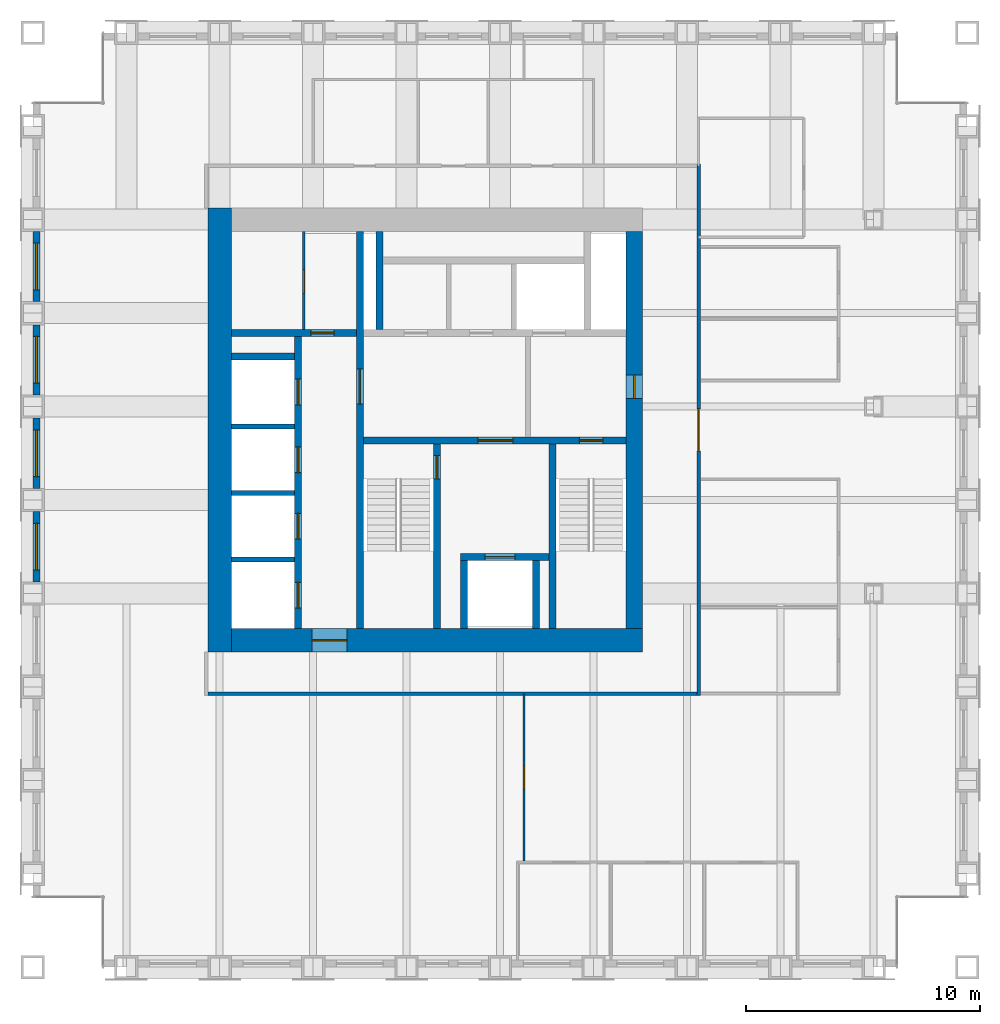
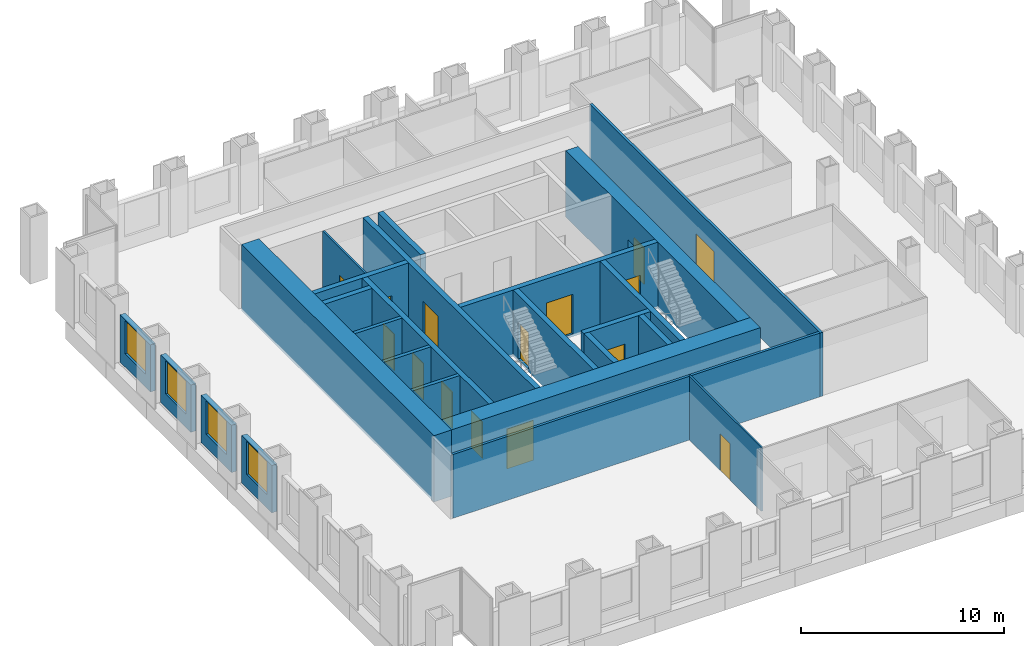
# One storey, part 8 of 11: 25 walls, 15 doors, 4 windows, 19 openings.
"""IFC4 building model written with IfcOpenShell, lengths in metres."""

from ifc_helpers import new_model, si_unit, direction, frame, frame_2d, origin, place, context, subcontext, project, spatial, rectangle, extrude, material, layer, layer_set, type_object, element, fill, save


model = new_model("IFC4")

# Units and contexts
model_context = context("Model", 3, precision=1e-05, world=origin(), true_north=direction((0.0, 1.0)))
body_context = subcontext(model_context, "Body", "Model", "MODEL_VIEW")
ifc_project = project(units=[si_unit("LENGTHUNIT", "METRE"), si_unit("AREAUNIT", "SQUARE_METRE"), si_unit("VOLUMEUNIT", "CUBIC_METRE"), si_unit("PLANEANGLEUNIT", "RADIAN"), si_unit("MASSUNIT", "GRAM", prefix="KILO")], contexts=[model_context])

# Site, building, storey
site_placement = place(None, origin())
site = spatial("IfcSite", under=ifc_project, at=site_placement, CompositionType="ELEMENT")
building_placement = place(site_placement, origin())
building = spatial("IfcBuilding", under=site, at=building_placement, Name="Rimbunsela Tower", CompositionType="ELEMENT")
storey_placement = place(building_placement, frame((0.0, 0.0, 246.199951171875)))
storey = spatial("IfcBuildingStorey", under=building, at=storey_placement, Name="L59", CompositionType="ELEMENT", Elevation=246.199951171875)

# Wall, opening, door
ifc_material_1 = material(Name="Concrete fc' 80 MPa", Category="concrete")
ifc_layer_1 = layer(ifc_material_1, 0.300048828125)
ifc_layer_set_1 = layer_set([ifc_layer_1], Name="Core internal wall 300")
wall_type_1 = type_object("IfcWallType", Name="Core internal wall 300", PredefinedType="SHEAR", material=ifc_layer_set_1)
wall_1_placement = place(storey_placement, frame((24.0, 18.5, -0.14990234375), z_axis=(0.0, 0.0, 1.0), x_axis=(0.0, 1.0, 0.0)))
wall_1 = element("IfcWall", 1, at=wall_1_placement, inside=storey, type_object=wall_type_1, Name="Core wall at stair A", PredefinedType="SHEAR", context=body_context, shape_type="SweptSolid", body=[
    extrude(rectangle(XDim=17.0, YDim=0.300048828125, at=frame_2d((8.5, 0.0))), origin(), (0.0, 0.0, 1.0), 4.0),
])
opening_1_placement = place(wall_1_placement, frame((9.60009765625, 0.0, 0.14990234375)))
opening_1 = element("IfcOpeningElement", 2, at=opening_1_placement, cuts=wall_1, Name="Opening D03", PredefinedType="OPENING", context=body_context, shape_type="SweptSolid", body=[
    extrude(rectangle(XDim=1.5, YDim=2.39990234375, at=frame_2d((0.75, 1.199951171875))), frame((0.0, 0.159912109375, 0.0), z_axis=(0.0, -1.0, 0.0), x_axis=(1.0, 0.0, 0.0)), (0.0, 0.0, 1.0), 0.320068359375),
])
ifc_material_2 = material(Name="Steel door, fire rated", Category="steel")
door_type_1 = type_object("IfcDoorType", Name="Core lobby door 1500", OperationType="DOUBLE_DOOR_DOUBLE_SWING", PredefinedType="DOOR", material=ifc_material_2)
door_1_placement = place(opening_1_placement, origin())
door_1 = element("IfcDoor", 3, at=door_1_placement, inside=storey, type_object=door_type_1, Name="West lobby door", OperationType="DOUBLE_DOOR_DOUBLE_SWING", OverallHeight=2.39990234375, OverallWidth=1.5, PredefinedType="DOOR", context=body_context, shape_type="SweptSolid", body=[
    extrude(rectangle(XDim=1.5, YDim=2.39990234375, at=frame_2d((0.75, 1.199951171875))), frame((0.0, 0.02490234375, 0.0), z_axis=(0.0, -1.0, 0.0), x_axis=(1.0, 0.0, 0.0)), (0.0, 0.0, 1.0), 0.050048828125),
])
fill(opening_1, door_1)

# Wall, openings, doors
wall_2_placement = place(storey_placement, frame((24.14990234375, 26.550048828125, -0.14990234375), z_axis=(0.0, 0.0, 1.0), x_axis=(1.0, 0.0, 0.0)))
wall_2 = element("IfcWall", 4, at=wall_2_placement, inside=storey, type_object=wall_type_1, Name="Core wall lobby south", PredefinedType="SHEAR", context=body_context, shape_type="SweptSolid", body=[
    extrude(rectangle(XDim=11.25, YDim=0.300048828125, at=frame_2d((5.625, 0.0))), origin(), (0.0, 0.0, 1.0), 4.0),
])
opening_2_placement = place(wall_2_placement, frame((9.25, 0.0, 0.14990234375)))
opening_2 = element("IfcOpeningElement", 5, at=opening_2_placement, cuts=wall_2, Name="Opening D01", PredefinedType="OPENING", context=body_context, shape_type="SweptSolid", body=[
    extrude(rectangle(XDim=1.0, YDim=2.199951171875, at=frame_2d((0.5, 1.10009765625))), frame((0.0, 0.159912109375, 0.0), z_axis=(0.0, -1.0, 0.0), x_axis=(1.0, 0.0, 0.0)), (0.0, 0.0, 1.0), 0.320068359375),
])
opening_3_placement = place(wall_2_placement, frame((4.89990234375, 0.0, 0.14990234375)))
opening_3 = element("IfcOpeningElement", 6, at=opening_3_placement, cuts=wall_2, Name="Opening D03", PredefinedType="OPENING", context=body_context, shape_type="SweptSolid", body=[
    extrude(rectangle(XDim=1.5, YDim=2.39990234375, at=frame_2d((0.75, 1.199951171875))), frame((0.0, 0.159912109375, 0.0), z_axis=(0.0, -1.0, 0.0), x_axis=(1.0, 0.0, 0.0)), (0.0, 0.0, 1.0), 0.320068359375),
])
door_2_placement = place(opening_3_placement, origin())
door_2 = element("IfcDoor", 7, at=door_2_placement, inside=storey, type_object=door_type_1, Name="Firefighting lobby door", OperationType="DOUBLE_DOOR_DOUBLE_SWING", OverallHeight=2.39990234375, OverallWidth=1.5, PredefinedType="DOOR", context=body_context, shape_type="SweptSolid", body=[
    extrude(rectangle(XDim=1.5, YDim=2.39990234375, at=frame_2d((0.75, 1.199951171875))), frame((0.0, 0.02490234375, 0.0), z_axis=(0.0, -1.0, 0.0), x_axis=(1.0, 0.0, 0.0)), (0.0, 0.0, 1.0), 0.050048828125),
])
fill(opening_3, door_2)
ifc_material_3 = material(Name="Steel door, fire rated", Category="steel")
door_type_2 = type_object("IfcDoorType", Name="Stair door 1000", OperationType="SINGLE_SWING_RIGHT", PredefinedType="DOOR", material=ifc_material_3)
door_3_placement = place(opening_2_placement, frame((1.0, 0.0, 0.0), z_axis=(0.0, 0.0, 1.0), x_axis=(-1.0, 0.0, 0.0)))
door_3 = element("IfcDoor", 8, at=door_3_placement, inside=storey, type_object=door_type_2, Name="Stair B door", OperationType="SINGLE_SWING_RIGHT", OverallHeight=2.199951171875, OverallWidth=1.0, PredefinedType="DOOR", context=body_context, shape_type="SweptSolid", body=[
    extrude(rectangle(XDim=1.0, YDim=2.199951171875, at=frame_2d((0.5, 1.10009765625))), frame((0.0, 0.02490234375, 0.0), z_axis=(0.0, -1.0, 0.0), x_axis=(1.0, 0.0, 0.0)), (0.0, 0.0, 1.0), 0.050048828125),
])
fill(opening_2, door_3)

# Wall, opening, door
wall_3_placement = place(storey_placement, frame((27.300048828125, 18.5, -0.14990234375), z_axis=(0.0, 0.0, 1.0), x_axis=(0.0, 1.0, 0.0)))
wall_3 = element("IfcWall", 9, at=wall_3_placement, inside=storey, type_object=wall_type_1, Name="Stair A enclosure", PredefinedType="SHEAR", context=body_context, shape_type="SweptSolid", body=[
    extrude(rectangle(XDim=7.89990234375, YDim=0.300048828125, at=frame_2d((3.949951171875, 0.0))), origin(), (0.0, 0.0, 1.0), 4.0),
])
opening_4_placement = place(wall_3_placement, frame((6.39990234375, 0.0, 0.14990234375)))
opening_4 = element("IfcOpeningElement", 10, at=opening_4_placement, cuts=wall_3, Name="Opening D01", PredefinedType="OPENING", context=body_context, shape_type="SweptSolid", body=[
    extrude(rectangle(XDim=1.0, YDim=2.199951171875, at=frame_2d((0.5, 1.10009765625))), frame((0.0, 0.159912109375, 0.0), z_axis=(0.0, -1.0, 0.0), x_axis=(1.0, 0.0, 0.0)), (0.0, 0.0, 1.0), 0.320068359375),
])
door_4_placement = place(opening_4_placement, origin())
door_4 = element("IfcDoor", 11, at=door_4_placement, inside=storey, type_object=door_type_2, Name="Stair A door", OperationType="SINGLE_SWING_RIGHT", OverallHeight=2.199951171875, OverallWidth=1.0, PredefinedType="DOOR", context=body_context, shape_type="SweptSolid", body=[
    extrude(rectangle(XDim=1.0, YDim=2.199951171875, at=frame_2d((0.5, 1.10009765625))), frame((0.0, 0.02490234375, 0.0), z_axis=(0.0, -1.0, 0.0), x_axis=(1.0, 0.0, 0.0)), (0.0, 0.0, 1.0), 0.050048828125),
])
fill(opening_4, door_4)

# Walls
wall_4_placement = place(storey_placement, frame((32.25, 18.5, -0.14990234375), z_axis=(0.0, 0.0, 1.0), x_axis=(0.0, 1.0, 0.0)))
element("IfcWall", 12, at=wall_4_placement, inside=storey, type_object=wall_type_1, Name="Stair B enclosure", PredefinedType="SHEAR", context=body_context, shape_type="SweptSolid", body=[
    extrude(rectangle(XDim=7.89990234375, YDim=0.300048828125, at=frame_2d((3.949951171875, 0.0))), origin(), (0.0, 0.0, 1.0), 4.0),
])
for number, where, z_axis, x_axis, name in (
    (13, (28.449951171875, 18.5, -0.14990234375), (0.0, 0.0, 1.0), (0.0, 1.0, 0.0), "Firefighting lift shaft west"),
    (14, (31.550048828125, 18.5, -0.14990234375), (0.0, 0.0, 1.0), (0.0, 1.0, 0.0), "Firefighting lift shaft east"),
):
    element("IfcWall", number, at=place(storey_placement, frame(where, z_axis=z_axis, x_axis=x_axis)), inside=storey, type_object=wall_type_1, Name=name, PredefinedType="SHEAR", context=body_context, shape_type="SweptSolid", body=[
        extrude(rectangle(XDim=2.89990234375, YDim=0.300048828125, at=frame_2d((1.449951171875, 0.0))), origin(), (0.0, 0.0, 1.0), 4.0),
    ])

# Wall, opening, door
wall_5_placement = place(storey_placement, frame((28.300048828125, 21.550048828125, -0.14990234375), z_axis=(0.0, 0.0, 1.0), x_axis=(1.0, 0.0, 0.0)))
wall_5 = element("IfcWall", 15, at=wall_5_placement, inside=storey, type_object=wall_type_1, Name="Firefighting lift shaft front", PredefinedType="SHEAR", context=body_context, shape_type="SweptSolid", body=[
    extrude(rectangle(XDim=3.800048828125, YDim=0.300048828125, at=frame_2d((1.89990234375, 0.0))), origin(), (0.0, 0.0, 1.0), 4.0),
])
opening_5_placement = place(wall_5_placement, frame((1.050048828125, 0.0, 0.14990234375)))
opening_5 = element("IfcOpeningElement", 16, at=opening_5_placement, cuts=wall_5, Name="Opening LD2", PredefinedType="OPENING", context=body_context, shape_type="SweptSolid", body=[
    extrude(rectangle(XDim=1.300048828125, YDim=2.39990234375, at=frame_2d((0.64990234375, 1.199951171875))), frame((0.0, 0.159912109375, 0.0), z_axis=(0.0, -1.0, 0.0), x_axis=(1.0, 0.0, 0.0)), (0.0, 0.0, 1.0), 0.320068359375),
])
ifc_material_4 = material(Name="Steel door, fire rated", Category="steel")
door_type_3 = type_object("IfcDoorType", Name="Lift landing door 1300", OperationType="DOUBLE_DOOR_SLIDING", PredefinedType="DOOR", material=ifc_material_4)
door_5_placement = place(opening_5_placement, origin())
door_5 = element("IfcDoor", 17, at=door_5_placement, inside=storey, type_object=door_type_3, Name="Lift landing door FL1", OperationType="DOUBLE_DOOR_SLIDING", OverallHeight=2.39990234375, OverallWidth=1.300048828125, PredefinedType="DOOR", context=body_context, shape_type="SweptSolid", body=[
    extrude(rectangle(XDim=1.300048828125, YDim=2.39990234375, at=frame_2d((0.64990234375, 1.199951171875))), frame((0.0, 0.02490234375, 0.0), z_axis=(0.0, -1.0, 0.0), x_axis=(1.0, 0.0, 0.0)), (0.0, 0.0, 1.0), 0.050048828125),
])
fill(opening_5, door_5)

# Wall, openings, doors
wall_6_placement = place(storey_placement, frame((21.35009765625, 18.5, -0.14990234375), z_axis=(0.0, 0.0, 1.0), x_axis=(0.0, 1.0, 0.0)))
wall_6 = element("IfcWall", 18, at=wall_6_placement, inside=storey, type_object=wall_type_1, Name="Lift shaft front west", PredefinedType="SHEAR", context=body_context, shape_type="SweptSolid", body=[
    extrude(rectangle(XDim=12.5, YDim=0.300048828125, at=frame_2d((6.25, 0.0))), origin(), (0.0, 0.0, 1.0), 4.0),
])
opening_6_placement = place(wall_6_placement, frame((0.875, 0.0, 0.14990234375)))
opening_6 = element("IfcOpeningElement", 19, at=opening_6_placement, cuts=wall_6, Name="Opening LD1", PredefinedType="OPENING", context=body_context, shape_type="SweptSolid", body=[
    extrude(rectangle(XDim=1.10009765625, YDim=2.199951171875, at=frame_2d((0.550048828125, 1.10009765625))), frame((0.0, 0.159912109375, 0.0), z_axis=(0.0, -1.0, 0.0), x_axis=(1.0, 0.0, 0.0)), (0.0, 0.0, 1.0), 0.320068359375),
])
opening_7_placement = place(wall_6_placement, frame((3.824951171875, 0.0, 0.14990234375)))
opening_7 = element("IfcOpeningElement", 20, at=opening_7_placement, cuts=wall_6, Name="Opening LD1", PredefinedType="OPENING", context=body_context, shape_type="SweptSolid", body=[
    extrude(rectangle(XDim=1.10009765625, YDim=2.199951171875, at=frame_2d((0.550048828125, 1.10009765625))), frame((0.0, 0.159912109375, 0.0), z_axis=(0.0, -1.0, 0.0), x_axis=(1.0, 0.0, 0.0)), (0.0, 0.0, 1.0), 0.320068359375),
])
opening_8_placement = place(wall_6_placement, frame((6.675048828125, 0.0, 0.14990234375)))
opening_8 = element("IfcOpeningElement", 21, at=opening_8_placement, cuts=wall_6, Name="Opening LD1", PredefinedType="OPENING", context=body_context, shape_type="SweptSolid", body=[
    extrude(rectangle(XDim=1.10009765625, YDim=2.199951171875, at=frame_2d((0.550048828125, 1.10009765625))), frame((0.0, 0.159912109375, 0.0), z_axis=(0.0, -1.0, 0.0), x_axis=(1.0, 0.0, 0.0)), (0.0, 0.0, 1.0), 0.320068359375),
])
opening_9_placement = place(wall_6_placement, frame((9.574951171875, 0.0, 0.14990234375)))
opening_9 = element("IfcOpeningElement", 22, at=opening_9_placement, cuts=wall_6, Name="Opening LD1", PredefinedType="OPENING", context=body_context, shape_type="SweptSolid", body=[
    extrude(rectangle(XDim=1.10009765625, YDim=2.199951171875, at=frame_2d((0.550048828125, 1.10009765625))), frame((0.0, 0.159912109375, 0.0), z_axis=(0.0, -1.0, 0.0), x_axis=(1.0, 0.0, 0.0)), (0.0, 0.0, 1.0), 0.320068359375),
])
ifc_material_5 = material(Name="Steel door, fire rated", Category="steel")
door_type_4 = type_object("IfcDoorType", Name="Lift landing door 1100", OperationType="DOUBLE_DOOR_SLIDING", PredefinedType="DOOR", material=ifc_material_5)
door_6_placement = place(opening_6_placement, origin())
door_6 = element("IfcDoor", 23, at=door_6_placement, inside=storey, type_object=door_type_4, Name="Lift landing door TL1", OperationType="DOUBLE_DOOR_SLIDING", OverallHeight=2.199951171875, OverallWidth=1.10009765625, PredefinedType="DOOR", context=body_context, shape_type="SweptSolid", body=[
    extrude(rectangle(XDim=1.10009765625, YDim=2.199951171875, at=frame_2d((0.550048828125, 1.10009765625))), frame((0.0, 0.02490234375, 0.0), z_axis=(0.0, -1.0, 0.0), x_axis=(1.0, 0.0, 0.0)), (0.0, 0.0, 1.0), 0.050048828125),
])
fill(opening_6, door_6)
door_7_placement = place(opening_7_placement, origin())
door_7 = element("IfcDoor", 24, at=door_7_placement, inside=storey, type_object=door_type_4, Name="Lift landing door TL2", OperationType="DOUBLE_DOOR_SLIDING", OverallHeight=2.199951171875, OverallWidth=1.10009765625, PredefinedType="DOOR", context=body_context, shape_type="SweptSolid", body=[
    extrude(rectangle(XDim=1.10009765625, YDim=2.199951171875, at=frame_2d((0.550048828125, 1.10009765625))), frame((0.0, 0.02490234375, 0.0), z_axis=(0.0, -1.0, 0.0), x_axis=(1.0, 0.0, 0.0)), (0.0, 0.0, 1.0), 0.050048828125),
])
fill(opening_7, door_7)
door_8_placement = place(opening_8_placement, origin())
door_8 = element("IfcDoor", 25, at=door_8_placement, inside=storey, type_object=door_type_4, Name="Lift landing door TL3", OperationType="DOUBLE_DOOR_SLIDING", OverallHeight=2.199951171875, OverallWidth=1.10009765625, PredefinedType="DOOR", context=body_context, shape_type="SweptSolid", body=[
    extrude(rectangle(XDim=1.10009765625, YDim=2.199951171875, at=frame_2d((0.550048828125, 1.10009765625))), frame((0.0, 0.02490234375, 0.0), z_axis=(0.0, -1.0, 0.0), x_axis=(1.0, 0.0, 0.0)), (0.0, 0.0, 1.0), 0.050048828125),
])
fill(opening_8, door_8)
door_9_placement = place(opening_9_placement, origin())
door_9 = element("IfcDoor", 26, at=door_9_placement, inside=storey, type_object=door_type_4, Name="Lift landing door TL4", OperationType="DOUBLE_DOOR_SLIDING", OverallHeight=2.199951171875, OverallWidth=1.10009765625, PredefinedType="DOOR", context=body_context, shape_type="SweptSolid", body=[
    extrude(rectangle(XDim=1.10009765625, YDim=2.199951171875, at=frame_2d((0.550048828125, 1.10009765625))), frame((0.0, 0.02490234375, 0.0), z_axis=(0.0, -1.0, 0.0), x_axis=(1.0, 0.0, 0.0)), (0.0, 0.0, 1.0), 0.050048828125),
])
fill(opening_9, door_9)

# Wall, opening, door
wall_7_placement = place(storey_placement, frame((18.5, 31.14990234375, -0.14990234375), z_axis=(0.0, 0.0, 1.0), x_axis=(1.0, 0.0, 0.0)))
wall_7 = element("IfcWall", 27, at=wall_7_placement, inside=storey, type_object=wall_type_1, Name="Store wall", PredefinedType="SHEAR", context=body_context, shape_type="SweptSolid", body=[
    extrude(rectangle(XDim=5.35009765625, YDim=0.300048828125, at=frame_2d((2.675048828125, 0.0))), origin(), (0.0, 0.0, 1.0), 4.0),
])
opening_10_placement = place(wall_7_placement, frame((3.39990234375, 0.0, 0.14990234375)))
opening_10 = element("IfcOpeningElement", 28, at=opening_10_placement, cuts=wall_7, Name="Opening D19", PredefinedType="OPENING", context=body_context, shape_type="SweptSolid", body=[
    extrude(rectangle(XDim=1.0, YDim=2.199951171875, at=frame_2d((0.5, 1.10009765625))), frame((0.0, 0.159912109375, 0.0), z_axis=(0.0, -1.0, 0.0), x_axis=(1.0, 0.0, 0.0)), (0.0, 0.0, 1.0), 0.320068359375),
])
ifc_material_6 = material(Name="Steel door, fire rated", Category="steel")
door_type_5 = type_object("IfcDoorType", Name="Service door 1000 fire rated", OperationType="SINGLE_SWING_LEFT", PredefinedType="DOOR", material=ifc_material_6)
door_10_placement = place(opening_10_placement, origin())
door_10 = element("IfcDoor", 29, at=door_10_placement, inside=storey, type_object=door_type_5, Name="Staff pantry door", OperationType="SINGLE_SWING_LEFT", OverallHeight=2.199951171875, OverallWidth=1.0, PredefinedType="DOOR", context=body_context, shape_type="SweptSolid", body=[
    extrude(rectangle(XDim=1.0, YDim=2.199951171875, at=frame_2d((0.5, 1.10009765625))), frame((0.0, 0.02490234375, 0.0), z_axis=(0.0, -1.0, 0.0), x_axis=(1.0, 0.0, 0.0)), (0.0, 0.0, 1.0), 0.050048828125),
])
fill(opening_10, door_10)

# Walls
wall_8_placement = place(storey_placement, frame((18.5, 30.14990234375, -0.14990234375), z_axis=(0.0, 0.0, 1.0), x_axis=(1.0, 0.0, 0.0)))
element("IfcWall", 30, at=wall_8_placement, inside=storey, type_object=wall_type_1, Name="Lift shaft rear west", PredefinedType="SHEAR", context=body_context, shape_type="SweptSolid", body=[
    extrude(rectangle(XDim=2.699951171875, YDim=0.300048828125, at=frame_2d((1.35009765625, 0.0))), origin(), (0.0, 0.0, 1.0), 4.0),
])
wall_9_placement = place(storey_placement, frame((24.85009765625, 31.300048828125, -0.14990234375), z_axis=(0.0, 0.0, 1.0), x_axis=(0.0, 1.0, 0.0)))
element("IfcWall", 31, at=wall_9_placement, inside=storey, type_object=wall_type_1, Name="Riser wall", PredefinedType="SHEAR", context=body_context, shape_type="SweptSolid", body=[
    extrude(rectangle(XDim=4.199951171875, YDim=0.300048828125, at=frame_2d((2.10009765625, 0.0))), origin(), (0.0, 0.0, 1.0), 4.0),
])

# Wall, opening, door
ifc_material_7 = material(Name="Concrete blockwork", Category="masonry")
ifc_layer_2 = layer(ifc_material_7, 0.10009765625)
ifc_layer_set_2 = layer_set([ifc_layer_2], Name="Core room partition 100")
wall_type_2 = type_object("IfcWallType", Name="Core room partition 100", PredefinedType="PARTITIONING", material=ifc_layer_set_2)
wall_10_placement = place(storey_placement, frame((21.60009765625, 31.300048828125, 0.0), z_axis=(0.0, 0.0, 1.0), x_axis=(0.0, 1.0, 0.0)))
wall_10 = element("IfcWall", 32, at=wall_10_placement, inside=storey, type_object=wall_type_2, Name="Tenant store wall", PredefinedType="PARTITIONING", context=body_context, shape_type="SweptSolid", body=[
    extrude(rectangle(XDim=4.199951171875, YDim=0.10009765625, at=frame_2d((2.10009765625, 0.0))), origin(), (0.0, 0.0, 1.0), 3.85009765625),
])
opening_11_placement = place(wall_10_placement, frame((1.550048828125, 0.0, 0.0)))
opening_11 = element("IfcOpeningElement", 33, at=opening_11_placement, cuts=wall_10, Name="Opening D19", PredefinedType="OPENING", context=body_context, shape_type="SweptSolid", body=[
    extrude(rectangle(XDim=1.0, YDim=2.199951171875, at=frame_2d((0.5, 1.10009765625))), frame((0.0, 0.06005859375, 0.0), z_axis=(0.0, -1.0, 0.0), x_axis=(1.0, 0.0, 0.0)), (0.0, 0.0, 1.0), 0.1201171875),
])
door_11_placement = place(opening_11_placement, origin())
door_11 = element("IfcDoor", 34, at=door_11_placement, inside=storey, type_object=door_type_5, Name="Tenant store door", OperationType="SINGLE_SWING_LEFT", OverallHeight=2.199951171875, OverallWidth=1.0, PredefinedType="DOOR", context=body_context, shape_type="SweptSolid", body=[
    extrude(rectangle(XDim=1.0, YDim=2.199951171875, at=frame_2d((0.5, 1.10009765625))), frame((0.0, 0.02490234375, 0.0), z_axis=(0.0, -1.0, 0.0), x_axis=(1.0, 0.0, 0.0)), (0.0, 0.0, 1.0), 0.050048828125),
])
fill(opening_11, door_11)

# Wall
ifc_material_8 = material(Name="Concrete fc' 80 MPa", Category="concrete")
ifc_layer_3 = layer(ifc_material_8, 1.0)
ifc_layer_set_3 = layer_set([ifc_layer_3], Name="Core wall 1000")
wall_type_3 = type_object("IfcWallType", Name="Core wall 1000", PredefinedType="SHEAR", material=ifc_layer_set_3)
wall_11_placement = place(storey_placement, frame((18.0, 17.5, -0.14990234375), z_axis=(0.0, 0.0, 1.0), x_axis=(0.0, 1.0, 0.0)))
element("IfcWall", 35, at=wall_11_placement, inside=storey, type_object=wall_type_3, Name="Core wall west", PredefinedType="SHEAR", context=body_context, shape_type="SweptSolid", body=[
    extrude(rectangle(XDim=19.0, YDim=1.0, at=frame_2d((9.5, 0.0))), origin(), (0.0, 0.0, 1.0), 4.0),
])

# Wall, opening, door
wall_12_placement = place(storey_placement, frame((18.5, 18.0, -0.14990234375), z_axis=(0.0, 0.0, 1.0), x_axis=(1.0, 0.0, 0.0)))
wall_12 = element("IfcWall", 36, at=wall_12_placement, inside=storey, type_object=wall_type_3, Name="Core wall south", PredefinedType="SHEAR", context=body_context, shape_type="SweptSolid", body=[
    extrude(rectangle(XDim=17.60009765625, YDim=1.0, at=frame_2d((8.800048828125, 0.0))), origin(), (0.0, 0.0, 1.0), 4.0),
])
opening_12_placement = place(wall_12_placement, frame((3.449951171875, 0.0, 0.14990234375)))
opening_12 = element("IfcOpeningElement", 37, at=opening_12_placement, cuts=wall_12, Name="Opening D03", PredefinedType="OPENING", context=body_context, shape_type="SweptSolid", body=[
    extrude(rectangle(XDim=1.5, YDim=2.39990234375, at=frame_2d((0.75, 1.199951171875))), frame((0.0, 0.510009765625, 0.0), z_axis=(0.0, -1.0, 0.0), x_axis=(1.0, 0.0, 0.0)), (0.0, 0.0, 1.0), 1.02001953125),
])
door_12_placement = place(opening_12_placement, origin())
door_12 = element("IfcDoor", 38, at=door_12_placement, inside=storey, type_object=door_type_1, Name="Core door south", OperationType="DOUBLE_DOOR_DOUBLE_SWING", OverallHeight=2.39990234375, OverallWidth=1.5, PredefinedType="DOOR", context=body_context, shape_type="SweptSolid", body=[
    extrude(rectangle(XDim=1.5, YDim=2.39990234375, at=frame_2d((0.75, 1.199951171875))), frame((0.0, 0.02490234375, 0.0), z_axis=(0.0, -1.0, 0.0), x_axis=(1.0, 0.0, 0.0)), (0.0, 0.0, 1.0), 0.050048828125),
])
fill(opening_12, door_12)

ifc_material_9 = material(Name="Concrete fc' 80 MPa", Category="concrete")
ifc_layer_4 = layer(ifc_material_9, 0.699951171875)
ifc_layer_set_4 = layer_set([ifc_layer_4], Name="Core wall 700 east")
wall_type_4 = type_object("IfcWallType", Name="Core wall 700 east", PredefinedType="SHEAR", material=ifc_layer_set_4)
wall_13_placement = place(storey_placement, frame((35.75, 18.5, -0.14990234375), z_axis=(0.0, 0.0, 1.0), x_axis=(0.0, 1.0, 0.0)))
wall_13 = element("IfcWall", 39, at=wall_13_placement, inside=storey, type_object=wall_type_4, Name="Core wall east", PredefinedType="SHEAR", context=body_context, shape_type="SweptSolid", body=[
    extrude(rectangle(XDim=17.0, YDim=0.699951171875, at=frame_2d((8.5, 0.0))), origin(), (0.0, 0.0, 1.0), 4.0),
])
opening_13_placement = place(wall_13_placement, frame((9.85009765625, 0.0, 0.14990234375)))
opening_13 = element("IfcOpeningElement", 40, at=opening_13_placement, cuts=wall_13, Name="Opening D01", PredefinedType="OPENING", context=body_context, shape_type="SweptSolid", body=[
    extrude(rectangle(XDim=1.0, YDim=2.199951171875, at=frame_2d((0.5, 1.10009765625))), frame((0.0, 0.35986328125, 0.0), z_axis=(0.0, -1.0, 0.0), x_axis=(1.0, 0.0, 0.0)), (0.0, 0.0, 1.0), 0.719970703125),
])
door_13_placement = place(opening_13_placement, origin())
door_13 = element("IfcDoor", 41, at=door_13_placement, inside=storey, type_object=door_type_2, Name="Firefighting lobby 2 door", OperationType="SINGLE_SWING_RIGHT", OverallHeight=2.199951171875, OverallWidth=1.0, PredefinedType="DOOR", context=body_context, shape_type="SweptSolid", body=[
    extrude(rectangle(XDim=1.0, YDim=2.199951171875, at=frame_2d((0.5, 1.10009765625))), frame((0.0, 0.02490234375, 0.0), z_axis=(0.0, -1.0, 0.0), x_axis=(1.0, 0.0, 0.0)), (0.0, 0.0, 1.0), 0.050048828125),
])
fill(opening_13, door_13)

# Walls
ifc_material_10 = material(Name="Concrete blockwork", Category="masonry")
ifc_layer_5 = layer(ifc_material_10, 0.199951171875)
ifc_layer_set_5 = layer_set([ifc_layer_5], Name="Lift shaft wall 200")
wall_type_5 = type_object("IfcWallType", Name="Lift shaft wall 200", PredefinedType="SOLIDWALL", material=ifc_layer_set_5)
for number, where, z_axis, x_axis, name in (
    (42, (18.5, 21.449951171875, -0.14990234375), (0.0, 0.0, 1.0), (1.0, 0.0, 0.0), "Lift shaft separation"),
    (43, (18.5, 24.300048828125, -0.14990234375), (0.0, 0.0, 1.0), (1.0, 0.0, 0.0), "Lift shaft separation"),
    (44, (18.5, 27.14990234375, -0.14990234375), (0.0, 0.0, 1.0), (1.0, 0.0, 0.0), "Lift shaft separation"),
):
    element("IfcWall", number, at=place(storey_placement, frame(where, z_axis=z_axis, x_axis=x_axis)), inside=storey, type_object=wall_type_5, Name=name, PredefinedType="SOLIDWALL", context=body_context, shape_type="SweptSolid", body=[
        extrude(rectangle(XDim=2.699951171875, YDim=0.199951171875, at=frame_2d((1.35009765625, 0.0))), origin(), (0.0, 0.0, 1.0), 4.0),
    ])

# Wall, opening, door
ifc_material_11 = material(Name="Gypsum board on steel studs", Category="steel")
ifc_layer_6 = layer(ifc_material_11, 0.10009765625)
ifc_layer_set_6 = layer_set([ifc_layer_6], Name="Office partition 100")
wall_type_6 = type_object("IfcWallType", Name="Office partition 100", PredefinedType="PARTITIONING", material=ifc_layer_set_6)
wall_14_placement = place(storey_placement, frame((31.02490234375, 15.699951171875, 0.0), z_axis=(0.0, 0.0, 1.0), x_axis=(0.0, -1.0, 0.0)))
wall_14 = element("IfcWall", 45, at=wall_14_placement, inside=storey, type_object=wall_type_6, Name="Office partition", PredefinedType="PARTITIONING", context=body_context, shape_type="SweptSolid", body=[
    extrude(rectangle(XDim=7.14990234375, YDim=0.10009765625, at=frame_2d((3.574951171875, 0.0))), origin(), (0.0, 0.0, 1.0), 3.85009765625),
])
opening_14_placement = place(wall_14_placement, frame((3.074951171875, 0.0, 0.0)))
opening_14 = element("IfcOpeningElement", 46, at=opening_14_placement, cuts=wall_14, Name="Opening D17", PredefinedType="OPENING", context=body_context, shape_type="SweptSolid", body=[
    extrude(rectangle(XDim=1.0, YDim=2.199951171875, at=frame_2d((0.5, 1.10009765625))), frame((0.0, 0.06005859375, 0.0), z_axis=(0.0, -1.0, 0.0), x_axis=(1.0, 0.0, 0.0)), (0.0, 0.0, 1.0), 0.1201171875),
])
ifc_material_12 = material(Name="Glazed aluminium door", Category="aluminium")
door_type_6 = type_object("IfcDoorType", Name="Meeting room door 1000 glazed", OperationType="SINGLE_SWING_RIGHT", PredefinedType="DOOR", material=ifc_material_12)
door_14_placement = place(opening_14_placement, origin())
door_14 = element("IfcDoor", 47, at=door_14_placement, inside=storey, type_object=door_type_6, Name="Open office screen door", OperationType="SINGLE_SWING_RIGHT", OverallHeight=2.199951171875, OverallWidth=1.0, PredefinedType="DOOR", context=body_context, shape_type="SweptSolid", body=[
    extrude(rectangle(XDim=1.0, YDim=2.199951171875, at=frame_2d((0.5, 1.10009765625))), frame((0.0, 0.02490234375, 0.0), z_axis=(0.0, -1.0, 0.0), x_axis=(1.0, 0.0, 0.0)), (0.0, 0.0, 1.0), 0.050048828125),
])
fill(opening_14, door_14)

# Wall, opening, window
ifc_material_13 = material(Name="Precast concrete fc' 35 MPa", Category="concrete")
ifc_layer_7 = layer(ifc_material_13, 0.300048828125)
ifc_layer_set_7 = layer_set([ifc_layer_7], Name="Precast concrete fc' 35 MPa")
wall_type_7 = type_object("IfcWallType", Name="Precast facade panel 300", PredefinedType="ELEMENTEDWALL", material=ifc_layer_set_7)
wall_15_placement = place(storey_placement, frame((10.14990234375, 23.5, 0.0), z_axis=(0.0, 0.0, 1.0), x_axis=(0.0, -1.0, 0.0)))
wall_15 = element("IfcWall", 48, at=wall_15_placement, inside=storey, type_object=wall_type_7, Name="Facade panel W L59", PredefinedType="ELEMENTEDWALL", context=body_context, shape_type="SweptSolid", body=[
    extrude(rectangle(XDim=3.0, YDim=0.300048828125, at=frame_2d((1.5, 0.0))), origin(), (0.0, 0.0, 1.0), 2.85009765625),
])
opening_15_placement = place(wall_15_placement, frame((0.5, 0.0, 0.800048828125)))
opening_15 = element("IfcOpeningElement", 49, at=opening_15_placement, cuts=wall_15, Name="Opening W1", PredefinedType="OPENING", context=body_context, shape_type="SweptSolid", body=[
    extrude(rectangle(XDim=2.0, YDim=2.0, at=frame_2d((1.0, 1.0))), frame((0.0, 0.159912109375, 0.0), z_axis=(0.0, -1.0, 0.0), x_axis=(1.0, 0.0, 0.0)), (0.0, 0.0, 1.0), 0.320068359375),
])
ifc_material_14 = material(Name="Clear glass in aluminium frame", Category="aluminium")
window_type = type_object("IfcWindowType", Name="Window W1 2000x2000", PartitioningType="DOUBLE_PANEL_VERTICAL", PredefinedType="WINDOW", material=ifc_material_14)
window_1_placement = place(opening_15_placement, origin())
window_1 = element("IfcWindow", 50, at=window_1_placement, inside=storey, type_object=window_type, Name="Window L59", OverallHeight=2.0, OverallWidth=2.0, PartitioningType="SINGLE_PANEL", PredefinedType="WINDOW", context=body_context, shape_type="SweptSolid", body=[
    extrude(rectangle(XDim=2.0, YDim=2.0, at=frame_2d((1.0, 1.0))), frame((0.0, 0.030029296875, 0.0), z_axis=(0.0, -1.0, 0.0), x_axis=(1.0, 0.0, 0.0)), (0.0, 0.0, 1.0), 0.06005859375),
])
fill(opening_15, window_1)

wall_16_placement = place(storey_placement, frame((10.14990234375, 27.5, 0.0), z_axis=(0.0, 0.0, 1.0), x_axis=(0.0, -1.0, 0.0)))
wall_16 = element("IfcWall", 51, at=wall_16_placement, inside=storey, type_object=wall_type_7, Name="Facade panel W L59", PredefinedType="ELEMENTEDWALL", context=body_context, shape_type="SweptSolid", body=[
    extrude(rectangle(XDim=3.0, YDim=0.300048828125, at=frame_2d((1.5, 0.0))), origin(), (0.0, 0.0, 1.0), 2.85009765625),
])
opening_16_placement = place(wall_16_placement, frame((0.5, 0.0, 0.800048828125)))
opening_16 = element("IfcOpeningElement", 52, at=opening_16_placement, cuts=wall_16, Name="Opening W1", PredefinedType="OPENING", context=body_context, shape_type="SweptSolid", body=[
    extrude(rectangle(XDim=2.0, YDim=2.0, at=frame_2d((1.0, 1.0))), frame((0.0, 0.159912109375, 0.0), z_axis=(0.0, -1.0, 0.0), x_axis=(1.0, 0.0, 0.0)), (0.0, 0.0, 1.0), 0.320068359375),
])
window_2_placement = place(opening_16_placement, origin())
window_2 = element("IfcWindow", 53, at=window_2_placement, inside=storey, type_object=window_type, Name="Window L59", OverallHeight=2.0, OverallWidth=2.0, PartitioningType="SINGLE_PANEL", PredefinedType="WINDOW", context=body_context, shape_type="SweptSolid", body=[
    extrude(rectangle(XDim=2.0, YDim=2.0, at=frame_2d((1.0, 1.0))), frame((0.0, 0.030029296875, 0.0), z_axis=(0.0, -1.0, 0.0), x_axis=(1.0, 0.0, 0.0)), (0.0, 0.0, 1.0), 0.06005859375),
])
fill(opening_16, window_2)

wall_17_placement = place(storey_placement, frame((10.14990234375, 31.5, 0.0), z_axis=(0.0, 0.0, 1.0), x_axis=(0.0, -1.0, 0.0)))
wall_17 = element("IfcWall", 54, at=wall_17_placement, inside=storey, type_object=wall_type_7, Name="Facade panel W L59", PredefinedType="ELEMENTEDWALL", context=body_context, shape_type="SweptSolid", body=[
    extrude(rectangle(XDim=3.0, YDim=0.300048828125, at=frame_2d((1.5, 0.0))), origin(), (0.0, 0.0, 1.0), 2.85009765625),
])
opening_17_placement = place(wall_17_placement, frame((0.5, 0.0, 0.800048828125)))
opening_17 = element("IfcOpeningElement", 55, at=opening_17_placement, cuts=wall_17, Name="Opening W1", PredefinedType="OPENING", context=body_context, shape_type="SweptSolid", body=[
    extrude(rectangle(XDim=2.0, YDim=2.0, at=frame_2d((1.0, 1.0))), frame((0.0, 0.159912109375, 0.0), z_axis=(0.0, -1.0, 0.0), x_axis=(1.0, 0.0, 0.0)), (0.0, 0.0, 1.0), 0.320068359375),
])
window_3_placement = place(opening_17_placement, origin())
window_3 = element("IfcWindow", 56, at=window_3_placement, inside=storey, type_object=window_type, Name="Window L59", OverallHeight=2.0, OverallWidth=2.0, PartitioningType="SINGLE_PANEL", PredefinedType="WINDOW", context=body_context, shape_type="SweptSolid", body=[
    extrude(rectangle(XDim=2.0, YDim=2.0, at=frame_2d((1.0, 1.0))), frame((0.0, 0.030029296875, 0.0), z_axis=(0.0, -1.0, 0.0), x_axis=(1.0, 0.0, 0.0)), (0.0, 0.0, 1.0), 0.06005859375),
])
fill(opening_17, window_3)

wall_18_placement = place(storey_placement, frame((10.14990234375, 35.5, 0.0), z_axis=(0.0, 0.0, 1.0), x_axis=(0.0, -1.0, 0.0)))
wall_18 = element("IfcWall", 57, at=wall_18_placement, inside=storey, type_object=wall_type_7, Name="Facade panel W L59", PredefinedType="ELEMENTEDWALL", context=body_context, shape_type="SweptSolid", body=[
    extrude(rectangle(XDim=3.0, YDim=0.300048828125, at=frame_2d((1.5, 0.0))), origin(), (0.0, 0.0, 1.0), 2.85009765625),
])
opening_18_placement = place(wall_18_placement, frame((0.5, 0.0, 0.800048828125)))
opening_18 = element("IfcOpeningElement", 58, at=opening_18_placement, cuts=wall_18, Name="Opening W1", PredefinedType="OPENING", context=body_context, shape_type="SweptSolid", body=[
    extrude(rectangle(XDim=2.0, YDim=2.0, at=frame_2d((1.0, 1.0))), frame((0.0, 0.159912109375, 0.0), z_axis=(0.0, -1.0, 0.0), x_axis=(1.0, 0.0, 0.0)), (0.0, 0.0, 1.0), 0.320068359375),
])
window_4_placement = place(opening_18_placement, origin())
window_4 = element("IfcWindow", 59, at=window_4_placement, inside=storey, type_object=window_type, Name="Window L59", OverallHeight=2.0, OverallWidth=2.0, PartitioningType="SINGLE_PANEL", PredefinedType="WINDOW", context=body_context, shape_type="SweptSolid", body=[
    extrude(rectangle(XDim=2.0, YDim=2.0, at=frame_2d((1.0, 1.0))), frame((0.0, 0.030029296875, 0.0), z_axis=(0.0, -1.0, 0.0), x_axis=(1.0, 0.0, 0.0)), (0.0, 0.0, 1.0), 0.06005859375),
])
fill(opening_18, window_4)

# Wall, opening, door
ifc_material_15 = material(Name="Fire-rated gypsum board on steel studs, EI 60", Category="steel")
ifc_layer_8 = layer(ifc_material_15, 0.14990234375)
ifc_layer_set_8 = layer_set([ifc_layer_8], Name="Rated corridor wall 150")
wall_type_8 = type_object("IfcWallType", Name="Rated corridor wall 150", PredefinedType="PARTITIONING", material=ifc_layer_set_8)
wall_19_placement = place(storey_placement, frame((38.5, 15.625, 0.0), z_axis=(0.0, 0.0, 1.0), x_axis=(0.0, 1.0, 0.0)))
wall_19 = element("IfcWall", 60, at=wall_19_placement, inside=storey, type_object=wall_type_8, Name="Corridor wall east", PredefinedType="PARTITIONING", context=body_context, shape_type="SweptSolid", body=[
    extrude(rectangle(XDim=22.75, YDim=0.14990234375, at=frame_2d((11.375, 0.0))), origin(), (0.0, 0.0, 1.0), 3.85009765625),
])
opening_19_placement = place(wall_19_placement, frame((10.47509765625, 0.0, 0.0)))
opening_19 = element("IfcOpeningElement", 61, at=opening_19_placement, cuts=wall_19, Name="Opening D09", PredefinedType="OPENING", context=body_context, shape_type="SweptSolid", body=[
    extrude(rectangle(XDim=1.800048828125, YDim=2.39990234375, at=frame_2d((0.89990234375, 1.199951171875))), frame((0.0, 0.0849609375, 0.0), z_axis=(0.0, -1.0, 0.0), x_axis=(1.0, 0.0, 0.0)), (0.0, 0.0, 1.0), 0.169921875),
])
ifc_material_16 = material(Name="Glazed aluminium door, fire rated", Category="aluminium")
door_type_7 = type_object("IfcDoorType", Name="Tenancy door 1800 glazed", OperationType="DOUBLE_DOOR_DOUBLE_SWING", PredefinedType="DOOR", material=ifc_material_16)
door_15_placement = place(opening_19_placement, origin())
door_15 = element("IfcDoor", 62, at=door_15_placement, inside=storey, type_object=door_type_7, Name="Tenancy door", OperationType="DOUBLE_DOOR_DOUBLE_SWING", OverallHeight=2.39990234375, OverallWidth=1.800048828125, PredefinedType="DOOR", context=body_context, shape_type="SweptSolid", body=[
    extrude(rectangle(XDim=1.800048828125, YDim=2.39990234375, at=frame_2d((0.89990234375, 1.199951171875))), frame((0.0, 0.02490234375, 0.0), z_axis=(0.0, -1.0, 0.0), x_axis=(1.0, 0.0, 0.0)), (0.0, 0.0, 1.0), 0.050048828125),
])
fill(opening_19, door_15)

# Wall
wall_20_placement = place(storey_placement, frame((17.5, 15.699951171875, 0.0), z_axis=(0.0, 0.0, 1.0), x_axis=(1.0, 0.0, 0.0)))
element("IfcWall", 63, at=wall_20_placement, inside=storey, type_object=wall_type_8, Name="Corridor wall south", PredefinedType="PARTITIONING", context=body_context, shape_type="SweptSolid", body=[
    extrude(rectangle(XDim=20.925048828125, YDim=0.14990234375, at=frame_2d((10.46240234375, 0.0))), origin(), (0.0, 0.0, 1.0), 3.85009765625),
])

save(model, "model.ifc")
